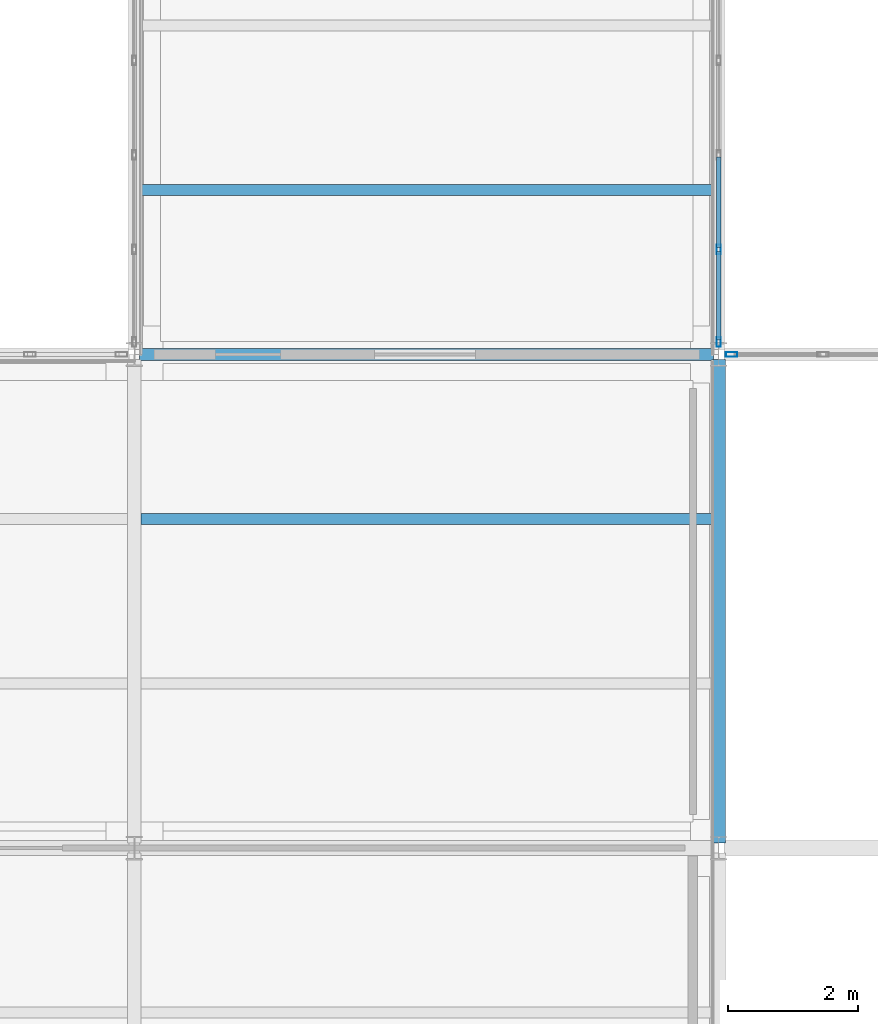
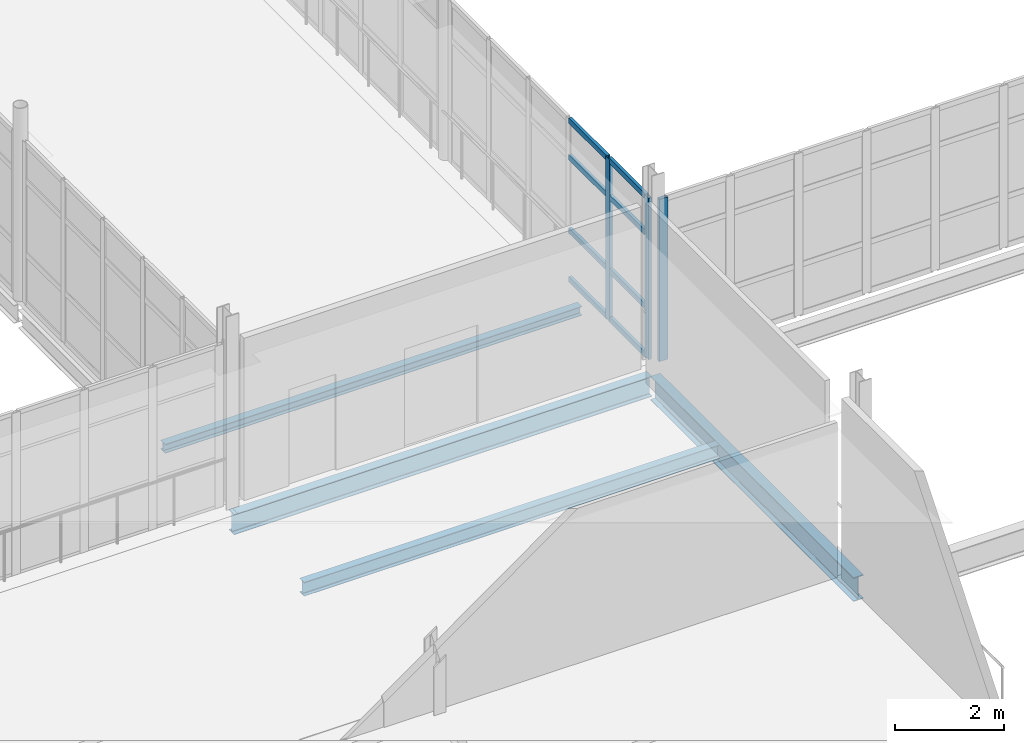
# One storey, part 51 of 174: 11 members, 4 beams, 2 elements without a shape of their own.
"""IFC4 building model written with IfcOpenShell, lengths in metres."""

from ifc_helpers import new_model, si_unit, direction, frame, origin, origin_2d, place, context, subcontext, project, spatial, hollow_rectangle, i_section, extrude, material, material_profile, profile_set, type_object, element, aggregate, save


model = new_model("IFC4")

# Units and contexts
model_context = context("Model", 3, precision=1e-05, world=origin(), true_north=direction((0.0, 1.0)))
body_context = subcontext(model_context, "Body", "Model", "MODEL_VIEW")
ifc_project = project(units=[si_unit("LENGTHUNIT", "METRE"), si_unit("AREAUNIT", "SQUARE_METRE"), si_unit("VOLUMEUNIT", "CUBIC_METRE"), si_unit("PLANEANGLEUNIT", "RADIAN"), si_unit("MASSUNIT", "GRAM", prefix="KILO")], contexts=[model_context])

# Site, building, storey
site_placement = place(None, origin())
site = spatial("IfcSite", under=ifc_project, at=site_placement, CompositionType="ELEMENT")
building_placement = place(site_placement, origin())
building = spatial("IfcBuilding", under=site, at=building_placement, Name="Caisbarro Railhouse Central Library", CompositionType="ELEMENT")
storey_placement = place(building_placement, frame((0.0, 0.0, 5.0400390625)))
storey = spatial("IfcBuildingStorey", under=building, at=storey_placement, Name="L01", CompositionType="ELEMENT", Elevation=5.0400390625)

# Beams
ifc_material_1 = material(Name="Steel ASTM A572 Grade 50", Category="steel")
ifc_material_profile_1 = material_profile(ifc_material_1, i_section(OverallWidth=0.208984375, OverallDepth=0.532958984375, WebThickness=0.01025390625, FlangeThickness=0.015625, FilletRadius=0.02001953125, at=origin_2d()), Name="W530X92.0")
ifc_profile_set_1 = profile_set([ifc_material_profile_1], Name="Steel ASTM A572 Grade 50")
beam_type_1 = type_object("IfcBeamType", Name="BM-G06", PredefinedType="BEAM", material=ifc_profile_set_1)
beam_1_placement = place(storey_placement, frame((63.0, 53.280029296875, -0.486572265625), z_axis=(0.0, 1.0, 0.0), x_axis=(-1.0, 0.0, 0.0)))
element("IfcBeam", 1, at=beam_1_placement, inside=storey, type_object=beam_type_1, Name="G06 beam L01 #852", PredefinedType="BEAM", context=body_context, shape_type="SweptSolid", body=[
    extrude(i_section(OverallWidth=0.208984375, OverallDepth=0.532958984375, WebThickness=0.01025390625, FlangeThickness=0.015625, FilletRadius=0.02001953125, at=origin_2d()), origin(), (0.0, 0.0, 1.0), 7.43994140625),
])
ifc_material_profile_2 = material_profile(ifc_material_1, i_section(OverallWidth=0.1650390625, OverallDepth=0.31005859375, WebThickness=0.005859375, FlangeThickness=0.009765625, FilletRadius=0.011962890625, at=origin_2d()), Name="W310X38.7")
ifc_profile_set_2 = profile_set([ifc_material_profile_2], Name="Steel ASTM A572 Grade 50")
beam_type_2 = type_object("IfcBeamType", Name="BM-J03", PredefinedType="JOIST", material=ifc_profile_set_2)
beam_2_placement = place(storey_placement, frame((54.1044921875, 58.2666015625, -0.375), z_axis=(1.0, 0.0, 0.0), x_axis=(0.0, 1.0, 0.0)))
element("IfcBeam", 2, at=beam_2_placement, inside=storey, type_object=beam_type_2, Name="J03 beam L01 #896", PredefinedType="JOIST", context=body_context, shape_type="SweptSolid", body=[
    extrude(i_section(OverallWidth=0.1650390625, OverallDepth=0.31005859375, WebThickness=0.005859375, FlangeThickness=0.009765625, FilletRadius=0.011962890625, at=origin_2d()), origin(), (0.0, 0.0, 1.0), 8.791015625),
])
ifc_material_profile_3 = material_profile(ifc_material_1, i_section(OverallWidth=0.1650390625, OverallDepth=0.200927734375, WebThickness=0.006103515625, FlangeThickness=0.01025390625, FilletRadius=0.010009765625, at=origin_2d()), Name="W200X35.9")
ifc_profile_set_3 = profile_set([ifc_material_profile_3], Name="Steel ASTM A572 Grade 50")
beam_type_3 = type_object("IfcBeamType", Name="BM-J06", PredefinedType="JOIST", material=ifc_profile_set_3)
beam_3_placement = place(storey_placement, frame((54.089111328125, 63.333251953125, -0.300537109375), z_axis=(1.0, 0.0, 0.0), x_axis=(0.0, 1.0, 0.0)))
element("IfcBeam", 3, at=beam_3_placement, inside=storey, type_object=beam_type_3, Name="J06 beam L01 #1254", PredefinedType="JOIST", context=body_context, shape_type="SweptSolid", body=[
    extrude(i_section(OverallWidth=0.1650390625, OverallDepth=0.200927734375, WebThickness=0.006103515625, FlangeThickness=0.01025390625, FilletRadius=0.010009765625, at=origin_2d()), origin(), (0.0, 0.0, 1.0), 8.82177734375),
])
ifc_material_profile_4 = material_profile(ifc_material_1, i_section(OverallWidth=0.18994140625, OverallDepth=0.45703125, WebThickness=0.009033203125, FlangeThickness=0.014404296875, FilletRadius=0.01806640625, at=origin_2d()), Name="W460X74.0")
ifc_profile_set_4 = profile_set([ifc_material_profile_4], Name="Steel ASTM A572 Grade 50")
beam_type_4 = type_object("IfcBeamType", Name="BM-SP01", PredefinedType="SPANDREL", material=ifc_profile_set_4)
beam_4_placement = place(storey_placement, frame((54.080078125, 60.800048828125, -0.448486328125), z_axis=(1.0, 0.0, 0.0), x_axis=(0.0, 1.0, 0.0)))
element("IfcBeam", 4, at=beam_4_placement, inside=storey, type_object=beam_type_4, Name="SP01 beam L01 #823", PredefinedType="SPANDREL", context=body_context, shape_type="SweptSolid", body=[
    extrude(i_section(OverallWidth=0.18994140625, OverallDepth=0.45703125, WebThickness=0.009033203125, FlangeThickness=0.014404296875, FilletRadius=0.01806640625, at=origin_2d()), origin(), (0.0, 0.0, 1.0), 8.83984375),
])

# Curtain wall, member
ifc_material_2 = material(Name="Anodised architectural aluminium", Category="aluminium")
curtain_wall_type_1 = type_object("IfcCurtainWallType", Name="CW-CW02", PredefinedType="NOTDEFINED", material=ifc_material_2)
curtain_wall_1_placement = place(storey_placement, origin())
curtain_wall_1 = element("IfcCurtainWall", 5, at=curtain_wall_1_placement, inside=storey, type_object=curtain_wall_type_1, Name="CW02 curtain wall L01 #19", PredefinedType="NOTDEFINED")
ifc_material_profile_5 = material_profile(ifc_material_2, hollow_rectangle(XDim=0.074951171875, YDim=0.179931640625, WallThickness=0.00439453125, at=origin_2d()), Name="ALU-MUL-75X180")
ifc_profile_set_5 = profile_set([ifc_material_profile_5], Name="Anodised architectural aluminium")
member_type_1 = type_object("IfcMemberType", Name="CWM-M01", PredefinedType="MULLION", material=ifc_profile_set_5)
member_1_placement = place(storey_placement, frame((63.197509765625, 60.800048828125, 0.0), z_axis=(0.0, 0.0, 1.0), x_axis=(0.0, 1.0, 0.0)))
member_1 = element("IfcMember", 6, at=member_1_placement, type_object=member_type_1, Name="CW02 mullion 1", PredefinedType="MULLION", context=body_context, shape_type="SweptSolid", body=[
    extrude(hollow_rectangle(XDim=0.074951171875, YDim=0.179931640625, WallThickness=0.00439453125, at=origin_2d()), origin(), (0.0, 0.0, 1.0), 3.6298828125),
])
aggregate(curtain_wall_1, [member_1])

# Curtain wall, members
curtain_wall_type_2 = type_object("IfcCurtainWallType", Name="CW-CW03", PredefinedType="NOTDEFINED", material=ifc_material_2)
curtain_wall_2_placement = place(storey_placement, origin())
curtain_wall_2 = element("IfcCurtainWall", 7, at=curtain_wall_2_placement, inside=storey, type_object=curtain_wall_type_2, Name="CW03 curtain wall L01 #193", PredefinedType="NOTDEFINED")
ifc_material_profile_6 = material_profile(ifc_material_2, hollow_rectangle(XDim=0.06494140625, YDim=0.14990234375, WallThickness=0.00390625, at=origin_2d()), Name="ALU-MUL-65X150")
ifc_profile_set_6 = profile_set([ifc_material_profile_6], Name="Anodised architectural aluminium")
member_type_2 = type_object("IfcMemberType", Name="CWM-M02", PredefinedType="MULLION", material=ifc_profile_set_6)
member_2_placement = place(storey_placement, frame((63.0, 60.992431640625, 0.0), z_axis=(0.0, 0.0, 1.0), x_axis=(-1.0, 0.0, 0.0)))
member_2 = element("IfcMember", 8, at=member_2_placement, type_object=member_type_2, Name="CW03 mullion 1", PredefinedType="MULLION", context=body_context, shape_type="SweptSolid", body=[
    extrude(hollow_rectangle(XDim=0.06494140625, YDim=0.14990234375, WallThickness=0.00390625, at=origin_2d()), origin(), (0.0, 0.0, 1.0), 3.60986328125),
])
member_3_placement = place(storey_placement, frame((63.0, 62.416015625, 0.0), z_axis=(0.0, 0.0, 1.0), x_axis=(-1.0, 0.0, 0.0)))
member_3 = element("IfcMember", 9, at=member_3_placement, type_object=member_type_2, Name="CW03 mullion 2", PredefinedType="MULLION", context=body_context, shape_type="SweptSolid", body=[
    extrude(hollow_rectangle(XDim=0.06494140625, YDim=0.14990234375, WallThickness=0.00390625, at=origin_2d()), origin(), (0.0, 0.0, 1.0), 3.60986328125),
])
ifc_material_profile_7 = material_profile(ifc_material_2, hollow_rectangle(XDim=0.06494140625, YDim=0.1201171875, WallThickness=0.00341796875, at=origin_2d()), Name="ALU-TRN-65X120")
ifc_profile_set_7 = profile_set([ifc_material_profile_7], Name="Anodised architectural aluminium")
member_type_3 = type_object("IfcMemberType", Name="CWT-T02", PredefinedType="USERDEFINED", material=ifc_profile_set_7)
member_4_placement = place(storey_placement, frame((63.0, 61.02490234375, 0.032470703125), z_axis=(0.0, 1.0, 0.0), x_axis=(-1.0, 0.0, 0.0)))
member_4 = element("IfcMember", 10, at=member_4_placement, type_object=member_type_3, Name="CW03 transom 1.1", ObjectType="TRANSOM", PredefinedType="USERDEFINED", context=body_context, shape_type="SweptSolid", body=[
    extrude(hollow_rectangle(XDim=0.06494140625, YDim=0.1201171875, WallThickness=0.00341796875, at=origin_2d()), origin(), (0.0, 0.0, 1.0), 1.358642578125),
])
member_5_placement = place(storey_placement, frame((63.0, 61.02490234375, 1.119873046875), z_axis=(0.0, 1.0, 0.0), x_axis=(-1.0, 0.0, 0.0)))
member_5 = element("IfcMember", 11, at=member_5_placement, type_object=member_type_3, Name="CW03 transom 1.2", ObjectType="TRANSOM", PredefinedType="USERDEFINED", context=body_context, shape_type="SweptSolid", body=[
    extrude(hollow_rectangle(XDim=0.06494140625, YDim=0.1201171875, WallThickness=0.00341796875, at=origin_2d()), origin(), (0.0, 0.0, 1.0), 1.358642578125),
])
member_6_placement = place(storey_placement, frame((63.0, 61.02490234375, 2.760009765625), z_axis=(0.0, 1.0, 0.0), x_axis=(-1.0, 0.0, 0.0)))
member_6 = element("IfcMember", 12, at=member_6_placement, type_object=member_type_3, Name="CW03 transom 1.3", ObjectType="TRANSOM", PredefinedType="USERDEFINED", context=body_context, shape_type="SweptSolid", body=[
    extrude(hollow_rectangle(XDim=0.06494140625, YDim=0.1201171875, WallThickness=0.00341796875, at=origin_2d()), origin(), (0.0, 0.0, 1.0), 1.358642578125),
])
member_7_placement = place(storey_placement, frame((63.0, 61.02490234375, 3.577392578125), z_axis=(0.0, 1.0, 0.0), x_axis=(-1.0, 0.0, 0.0)))
member_7 = element("IfcMember", 13, at=member_7_placement, type_object=member_type_3, Name="CW03 transom 1.4", ObjectType="TRANSOM", PredefinedType="USERDEFINED", context=body_context, shape_type="SweptSolid", body=[
    extrude(hollow_rectangle(XDim=0.06494140625, YDim=0.1201171875, WallThickness=0.00341796875, at=origin_2d()), origin(), (0.0, 0.0, 1.0), 1.358642578125),
])
member_8_placement = place(storey_placement, frame((63.0, 62.448486328125, 0.032470703125), z_axis=(0.0, 1.0, 0.0), x_axis=(-1.0, 0.0, 0.0)))
member_8 = element("IfcMember", 14, at=member_8_placement, type_object=member_type_3, Name="CW03 transom 2.1", ObjectType="TRANSOM", PredefinedType="USERDEFINED", context=body_context, shape_type="SweptSolid", body=[
    extrude(hollow_rectangle(XDim=0.06494140625, YDim=0.1201171875, WallThickness=0.00341796875, at=origin_2d()), origin(), (0.0, 0.0, 1.0), 1.39111328125),
])
member_9_placement = place(storey_placement, frame((63.0, 62.448486328125, 1.119873046875), z_axis=(0.0, 1.0, 0.0), x_axis=(-1.0, 0.0, 0.0)))
member_9 = element("IfcMember", 15, at=member_9_placement, type_object=member_type_3, Name="CW03 transom 2.2", ObjectType="TRANSOM", PredefinedType="USERDEFINED", context=body_context, shape_type="SweptSolid", body=[
    extrude(hollow_rectangle(XDim=0.06494140625, YDim=0.1201171875, WallThickness=0.00341796875, at=origin_2d()), origin(), (0.0, 0.0, 1.0), 1.39111328125),
])
member_10_placement = place(storey_placement, frame((63.0, 62.448486328125, 2.760009765625), z_axis=(0.0, 1.0, 0.0), x_axis=(-1.0, 0.0, 0.0)))
member_10 = element("IfcMember", 16, at=member_10_placement, type_object=member_type_3, Name="CW03 transom 2.3", ObjectType="TRANSOM", PredefinedType="USERDEFINED", context=body_context, shape_type="SweptSolid", body=[
    extrude(hollow_rectangle(XDim=0.06494140625, YDim=0.1201171875, WallThickness=0.00341796875, at=origin_2d()), origin(), (0.0, 0.0, 1.0), 1.39111328125),
])
member_11_placement = place(storey_placement, frame((63.0, 62.448486328125, 3.577392578125), z_axis=(0.0, 1.0, 0.0), x_axis=(-1.0, 0.0, 0.0)))
member_11 = element("IfcMember", 17, at=member_11_placement, type_object=member_type_3, Name="CW03 transom 2.4", ObjectType="TRANSOM", PredefinedType="USERDEFINED", context=body_context, shape_type="SweptSolid", body=[
    extrude(hollow_rectangle(XDim=0.06494140625, YDim=0.1201171875, WallThickness=0.00341796875, at=origin_2d()), origin(), (0.0, 0.0, 1.0), 1.39111328125),
])
aggregate(curtain_wall_2, [member_2, member_3, member_4, member_5, member_6, member_7, member_8, member_9, member_10, member_11])

save(model, "model.ifc")
